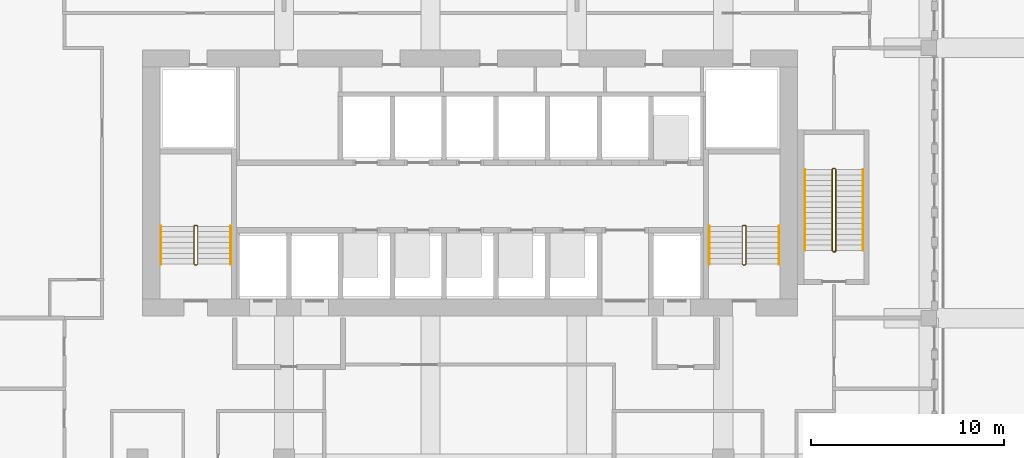
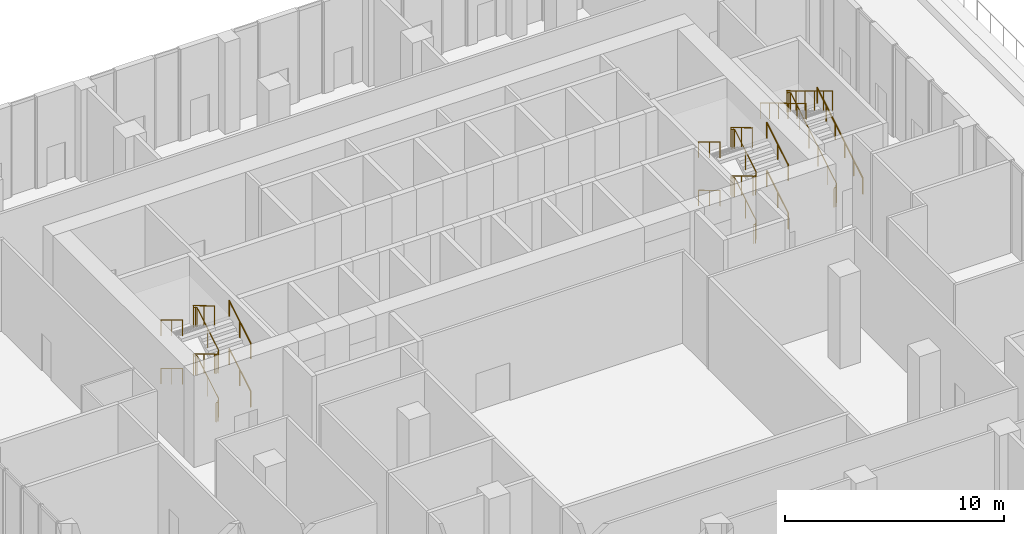
# One storey, part 18 of 19: 13 railings.
"""IFC4 building model written with IfcOpenShell, lengths in metres."""

from ifc_helpers import new_model, si_unit, direction, frame, origin, origin_2d, place, context, subcontext, project, spatial, circle, extrude, material, type_object, element, save


model = new_model("IFC4")

# Units and contexts
model_context = context("Model", 3, precision=1e-05, world=origin(), true_north=direction((0.0, 1.0)))
body_context = subcontext(model_context, "Body", "Model", "MODEL_VIEW")
ifc_project = project(units=[si_unit("LENGTHUNIT", "METRE"), si_unit("AREAUNIT", "SQUARE_METRE"), si_unit("VOLUMEUNIT", "CUBIC_METRE"), si_unit("PLANEANGLEUNIT", "RADIAN"), si_unit("MASSUNIT", "GRAM", prefix="KILO")], contexts=[model_context])

# Site, building, storey
site_placement = place(None, origin())
site = spatial("IfcSite", under=ifc_project, at=site_placement, CompositionType="ELEMENT")
building_placement = place(site_placement, origin())
building = spatial("IfcBuilding", under=site, at=building_placement, Name="Kilnfold Tower and Market Hall", CompositionType="ELEMENT")
storey_placement = place(building_placement, frame((0.0, 0.0, 138.5)))
storey = spatial("IfcBuildingStorey", under=building, at=storey_placement, Name="L31", CompositionType="ELEMENT", Elevation=138.5)

# Railings
ifc_material_1 = material(Name="Stainless steel 316", Category="steel")
railing_type_1 = type_object("IfcRailingType", Name="CORE STAIR GUARD 1100", PredefinedType="GUARDRAIL", material=ifc_material_1)
railing_1_placement = place(storey_placement, frame((-13.199951171875, 10.75, 0.0)))
element("IfcRailing", 1, at=railing_1_placement, inside=storey, type_object=railing_type_1, Name="L31 ST1 stair guard 1", PredefinedType="GUARDRAIL", context=body_context, shape_type="SweptSolid", body=[
    extrude(circle(Radius=0.02392578125, at=origin_2d()), frame((0.0, 0.0, 1.076171875), z_axis=(1.0, 0.0, 0.0), x_axis=(0.0, 1.0, 0.0)), (0.0, 0.0, 1.0), 0.099853515625),
    extrude(circle(Radius=0.02392578125, at=origin_2d()), frame((0.099853515625, 0.0, 1.076171875), z_axis=(0.273569069059, 0.273569069059, 0.922127935218), x_axis=(-0.707106781187, 0.707106781187, 0.0)), (0.0, 0.0, 1.0), 0.182861328125),
    extrude(circle(Radius=0.02392578125, at=origin_2d()), frame((0.14990234375, 0.050048828125, 1.24462890625), z_axis=(0.0, 0.856446297458, 0.516236127728), x_axis=(-1.0, 0.0, 0.0)), (0.0, 0.0, 1.0), 2.28857421875),
    extrude(circle(Radius=0.02392578125, at=origin_2d()), frame((0.14990234375, 2.010009765625, 2.42626953125), z_axis=(-0.707106781187, 0.707106781187, 0.0), x_axis=(-0.707106781187, -0.707106781187, 0.0)), (0.0, 0.0, 1.0), 0.07080078125),
    extrude(circle(Radius=0.02392578125, at=origin_2d()), frame((0.099853515625, 2.06005859375, 2.42626953125), z_axis=(-1.0, 0.0, 0.0), x_axis=(0.0, -1.0, 0.0)), (0.0, 0.0, 1.0), 0.099853515625),
    extrude(circle(Radius=0.02392578125, at=origin_2d()), frame((0.0, 2.06005859375, 2.42626953125), z_axis=(-0.273569069059, -0.273569069059, 0.922127935218), x_axis=(0.707106781187, -0.707106781187, 0.0)), (0.0, 0.0, 1.0), 0.182861328125),
    extrude(circle(Radius=0.02392578125, at=origin_2d()), frame((-0.050048828125, 2.010009765625, 2.5947265625), z_axis=(0.0, -0.856493463811, 0.516157869696), x_axis=(1.0, 0.0, 0.0)), (0.0, 0.0, 1.0), 2.288330078125),
    extrude(circle(Radius=0.02392578125, at=origin_2d()), frame((-0.050048828125, 0.050048828125, 3.77587890625), z_axis=(0.707106781187, -0.707106781187, 0.0), x_axis=(0.707106781187, 0.707106781187, 0.0)), (0.0, 0.0, 1.0), 0.07080078125),
    extrude(circle(Radius=0.02392578125, at=origin_2d()), frame((0.0, 0.0, 3.77587890625), z_axis=(1.0, 0.0, 0.0), x_axis=(0.0, 1.0, 0.0)), (0.0, 0.0, 1.0), 0.099853515625),
    extrude(circle(Radius=0.02392578125, at=origin_2d()), frame((0.099853515625, 0.0, 3.77587890625), z_axis=(0.273232802156, 0.273232802156, 0.922327312645), x_axis=(-0.707106781187, 0.707106781187, 0.0)), (0.0, 0.0, 1.0), 0.18310546875),
    extrude(circle(Radius=0.02392578125, at=origin_2d()), frame((0.14990234375, 0.050048828125, 3.94482421875), z_axis=(0.0, 0.856493463811, 0.516157869696), x_axis=(-1.0, 0.0, 0.0)), (0.0, 0.0, 1.0), 2.288330078125),
    extrude(circle(Radius=0.02392578125, at=origin_2d()), frame((0.14990234375, 2.010009765625, 5.1259765625), z_axis=(-0.707106781187, 0.707106781187, 0.0), x_axis=(-0.707106781187, -0.707106781187, 0.0)), (0.0, 0.0, 1.0), 0.07080078125),
    extrude(circle(Radius=0.02392578125, at=origin_2d()), frame((0.099853515625, 2.06005859375, 5.1259765625), z_axis=(-1.0, 0.0, 0.0), x_axis=(0.0, -1.0, 0.0)), (0.0, 0.0, 1.0), 0.099853515625),
    extrude(circle(Radius=0.02392578125, at=origin_2d()), frame((0.0, 2.06005859375, 5.1259765625), z_axis=(-0.273569069059, -0.273569069059, 0.922127935218), x_axis=(0.707106781187, -0.707106781187, 0.0)), (0.0, 0.0, 1.0), 0.182861328125),
    extrude(circle(Radius=0.02392578125, at=origin_2d()), frame((-0.050048828125, 2.010009765625, 5.294921875), z_axis=(0.0, -0.856493463811, 0.516157869696), x_axis=(1.0, 0.0, 0.0)), (0.0, 0.0, 1.0), 2.288330078125),
    extrude(circle(Radius=0.02099609375, at=origin_2d()), origin(), (0.0, 0.0, 1.0), 1.052001953125),
    extrude(circle(Radius=0.02099609375, at=origin_2d()), frame((0.099853515625, 0.0, 0.0)), (0.0, 0.0, 1.0), 1.052001953125),
    extrude(circle(Radius=0.02099609375, at=origin_2d()), frame((0.14990234375, 0.050048828125, 0.168701171875)), (0.0, 0.0, 1.0), 1.052001953125),
    extrude(circle(Radius=0.02099609375, at=origin_2d()), frame((0.14990234375, 1.030029296875, 0.75927734375)), (0.0, 0.0, 1.0), 1.052001953125),
    extrude(circle(Radius=0.02099609375, at=origin_2d()), frame((0.14990234375, 2.010009765625, 1.35009765625)), (0.0, 0.0, 1.0), 1.052001953125),
    extrude(circle(Radius=0.02099609375, at=origin_2d()), frame((0.099853515625, 2.06005859375, 1.35009765625)), (0.0, 0.0, 1.0), 1.052001953125),
    extrude(circle(Radius=0.02099609375, at=origin_2d()), frame((0.0, 2.06005859375, 1.35009765625)), (0.0, 0.0, 1.0), 1.052001953125),
    extrude(circle(Radius=0.02099609375, at=origin_2d()), frame((-0.050048828125, 2.010009765625, 1.518798828125)), (0.0, 0.0, 1.0), 1.052001953125),
    extrude(circle(Radius=0.02099609375, at=origin_2d()), frame((-0.050048828125, 1.030029296875, 2.109375)), (0.0, 0.0, 1.0), 1.052001953125),
    extrude(circle(Radius=0.02099609375, at=origin_2d()), frame((-0.050048828125, 0.050048828125, 2.699951171875)), (0.0, 0.0, 1.0), 1.052001953125),
    extrude(circle(Radius=0.02099609375, at=origin_2d()), frame((0.0, 0.0, 2.699951171875)), (0.0, 0.0, 1.0), 1.052001953125),
    extrude(circle(Radius=0.02099609375, at=origin_2d()), frame((0.099853515625, 0.0, 2.699951171875)), (0.0, 0.0, 1.0), 1.052001953125),
    extrude(circle(Radius=0.02099609375, at=origin_2d()), frame((0.14990234375, 0.050048828125, 2.868896484375)), (0.0, 0.0, 1.0), 1.052001953125),
    extrude(circle(Radius=0.02099609375, at=origin_2d()), frame((0.14990234375, 1.030029296875, 3.45947265625)), (0.0, 0.0, 1.0), 1.052001953125),
    extrude(circle(Radius=0.02099609375, at=origin_2d()), frame((0.14990234375, 2.010009765625, 4.050048828125)), (0.0, 0.0, 1.0), 1.052001953125),
    extrude(circle(Radius=0.02099609375, at=origin_2d()), frame((0.099853515625, 2.06005859375, 4.050048828125)), (0.0, 0.0, 1.0), 1.052001953125),
    extrude(circle(Radius=0.02099609375, at=origin_2d()), frame((0.0, 2.06005859375, 4.050048828125)), (0.0, 0.0, 1.0), 1.052001953125),
    extrude(circle(Radius=0.02099609375, at=origin_2d()), frame((-0.050048828125, 2.010009765625, 4.21875)), (0.0, 0.0, 1.0), 1.052001953125),
    extrude(circle(Radius=0.02099609375, at=origin_2d()), frame((-0.050048828125, 1.030029296875, 4.809326171875)), (0.0, 0.0, 1.0), 1.052001953125),
    extrude(circle(Radius=0.02099609375, at=origin_2d()), frame((-0.050048828125, 0.050048828125, 5.39990234375)), (0.0, 0.0, 1.0), 1.052001953125),
])
railing_2_placement = place(storey_placement, frame((15.199951171875, 10.75, 0.0)))
element("IfcRailing", 2, at=railing_2_placement, inside=storey, type_object=railing_type_1, Name="L31 ST2 stair guard 1", PredefinedType="GUARDRAIL", context=body_context, shape_type="SweptSolid", body=[
    extrude(circle(Radius=0.02392578125, at=origin_2d()), frame((0.0, 0.0, 1.076171875), z_axis=(1.0, 0.0, 0.0), x_axis=(0.0, 1.0, 0.0)), (0.0, 0.0, 1.0), 0.10009765625),
    extrude(circle(Radius=0.02392578125, at=origin_2d()), frame((0.10009765625, 0.0, 1.076171875), z_axis=(0.273569069059, 0.273569069059, 0.922127935218), x_axis=(-0.707106781187, 0.707106781187, 0.0)), (0.0, 0.0, 1.0), 0.182861328125),
    extrude(circle(Radius=0.02392578125, at=origin_2d()), frame((0.150146484375, 0.050048828125, 1.24462890625), z_axis=(0.0, 0.856446297458, 0.516236127728), x_axis=(-1.0, 0.0, 0.0)), (0.0, 0.0, 1.0), 2.28857421875),
    extrude(circle(Radius=0.02392578125, at=origin_2d()), frame((0.150146484375, 2.010009765625, 2.42626953125), z_axis=(-0.707106781187, 0.707106781187, 0.0), x_axis=(-0.707106781187, -0.707106781187, 0.0)), (0.0, 0.0, 1.0), 0.07080078125),
    extrude(circle(Radius=0.02392578125, at=origin_2d()), frame((0.10009765625, 2.06005859375, 2.42626953125), z_axis=(-1.0, 0.0, 0.0), x_axis=(0.0, -1.0, 0.0)), (0.0, 0.0, 1.0), 0.10009765625),
    extrude(circle(Radius=0.02392578125, at=origin_2d()), frame((0.0, 2.06005859375, 2.42626953125), z_axis=(-0.273569069059, -0.273569069059, 0.922127935218), x_axis=(0.707106781187, -0.707106781187, 0.0)), (0.0, 0.0, 1.0), 0.182861328125),
    extrude(circle(Radius=0.02392578125, at=origin_2d()), frame((-0.050048828125, 2.010009765625, 2.5947265625), z_axis=(0.0, -0.856493463811, 0.516157869696), x_axis=(1.0, 0.0, 0.0)), (0.0, 0.0, 1.0), 2.288330078125),
    extrude(circle(Radius=0.02392578125, at=origin_2d()), frame((-0.050048828125, 0.050048828125, 3.77587890625), z_axis=(0.707106781187, -0.707106781187, 0.0), x_axis=(0.707106781187, 0.707106781187, 0.0)), (0.0, 0.0, 1.0), 0.07080078125),
    extrude(circle(Radius=0.02392578125, at=origin_2d()), frame((0.0, 0.0, 3.77587890625), z_axis=(1.0, 0.0, 0.0), x_axis=(0.0, 1.0, 0.0)), (0.0, 0.0, 1.0), 0.10009765625),
    extrude(circle(Radius=0.02392578125, at=origin_2d()), frame((0.10009765625, 0.0, 3.77587890625), z_axis=(0.273232802156, 0.273232802156, 0.922327312645), x_axis=(-0.707106781187, 0.707106781187, 0.0)), (0.0, 0.0, 1.0), 0.18310546875),
    extrude(circle(Radius=0.02392578125, at=origin_2d()), frame((0.150146484375, 0.050048828125, 3.94482421875), z_axis=(0.0, 0.856493463811, 0.516157869696), x_axis=(-1.0, 0.0, 0.0)), (0.0, 0.0, 1.0), 2.288330078125),
    extrude(circle(Radius=0.02392578125, at=origin_2d()), frame((0.150146484375, 2.010009765625, 5.1259765625), z_axis=(-0.707106781187, 0.707106781187, 0.0), x_axis=(-0.707106781187, -0.707106781187, 0.0)), (0.0, 0.0, 1.0), 0.07080078125),
    extrude(circle(Radius=0.02392578125, at=origin_2d()), frame((0.10009765625, 2.06005859375, 5.1259765625), z_axis=(-1.0, 0.0, 0.0), x_axis=(0.0, -1.0, 0.0)), (0.0, 0.0, 1.0), 0.10009765625),
    extrude(circle(Radius=0.02392578125, at=origin_2d()), frame((0.0, 2.06005859375, 5.1259765625), z_axis=(-0.273569069059, -0.273569069059, 0.922127935218), x_axis=(0.707106781187, -0.707106781187, 0.0)), (0.0, 0.0, 1.0), 0.182861328125),
    extrude(circle(Radius=0.02392578125, at=origin_2d()), frame((-0.050048828125, 2.010009765625, 5.294921875), z_axis=(0.0, -0.856493463811, 0.516157869696), x_axis=(1.0, 0.0, 0.0)), (0.0, 0.0, 1.0), 2.288330078125),
    extrude(circle(Radius=0.02099609375, at=origin_2d()), origin(), (0.0, 0.0, 1.0), 1.052001953125),
    extrude(circle(Radius=0.02099609375, at=origin_2d()), frame((0.10009765625, 0.0, 0.0)), (0.0, 0.0, 1.0), 1.052001953125),
    extrude(circle(Radius=0.02099609375, at=origin_2d()), frame((0.150146484375, 0.050048828125, 0.168701171875)), (0.0, 0.0, 1.0), 1.052001953125),
    extrude(circle(Radius=0.02099609375, at=origin_2d()), frame((0.150146484375, 1.030029296875, 0.75927734375)), (0.0, 0.0, 1.0), 1.052001953125),
    extrude(circle(Radius=0.02099609375, at=origin_2d()), frame((0.150146484375, 2.010009765625, 1.35009765625)), (0.0, 0.0, 1.0), 1.052001953125),
    extrude(circle(Radius=0.02099609375, at=origin_2d()), frame((0.10009765625, 2.06005859375, 1.35009765625)), (0.0, 0.0, 1.0), 1.052001953125),
    extrude(circle(Radius=0.02099609375, at=origin_2d()), frame((0.0, 2.06005859375, 1.35009765625)), (0.0, 0.0, 1.0), 1.052001953125),
    extrude(circle(Radius=0.02099609375, at=origin_2d()), frame((-0.050048828125, 2.010009765625, 1.518798828125)), (0.0, 0.0, 1.0), 1.052001953125),
    extrude(circle(Radius=0.02099609375, at=origin_2d()), frame((-0.050048828125, 1.030029296875, 2.109375)), (0.0, 0.0, 1.0), 1.052001953125),
    extrude(circle(Radius=0.02099609375, at=origin_2d()), frame((-0.050048828125, 0.050048828125, 2.699951171875)), (0.0, 0.0, 1.0), 1.052001953125),
    extrude(circle(Radius=0.02099609375, at=origin_2d()), frame((0.0, 0.0, 2.699951171875)), (0.0, 0.0, 1.0), 1.052001953125),
    extrude(circle(Radius=0.02099609375, at=origin_2d()), frame((0.10009765625, 0.0, 2.699951171875)), (0.0, 0.0, 1.0), 1.052001953125),
    extrude(circle(Radius=0.02099609375, at=origin_2d()), frame((0.150146484375, 0.050048828125, 2.868896484375)), (0.0, 0.0, 1.0), 1.052001953125),
    extrude(circle(Radius=0.02099609375, at=origin_2d()), frame((0.150146484375, 1.030029296875, 3.45947265625)), (0.0, 0.0, 1.0), 1.052001953125),
    extrude(circle(Radius=0.02099609375, at=origin_2d()), frame((0.150146484375, 2.010009765625, 4.050048828125)), (0.0, 0.0, 1.0), 1.052001953125),
    extrude(circle(Radius=0.02099609375, at=origin_2d()), frame((0.10009765625, 2.06005859375, 4.050048828125)), (0.0, 0.0, 1.0), 1.052001953125),
    extrude(circle(Radius=0.02099609375, at=origin_2d()), frame((0.0, 2.06005859375, 4.050048828125)), (0.0, 0.0, 1.0), 1.052001953125),
    extrude(circle(Radius=0.02099609375, at=origin_2d()), frame((-0.050048828125, 2.010009765625, 4.21875)), (0.0, 0.0, 1.0), 1.052001953125),
    extrude(circle(Radius=0.02099609375, at=origin_2d()), frame((-0.050048828125, 1.030029296875, 4.809326171875)), (0.0, 0.0, 1.0), 1.052001953125),
    extrude(circle(Radius=0.02099609375, at=origin_2d()), frame((-0.050048828125, 0.050048828125, 5.39990234375)), (0.0, 0.0, 1.0), 1.052001953125),
])
railing_3_placement = place(storey_placement, frame((19.85009765625, 11.449951171875, 0.0)))
element("IfcRailing", 3, at=railing_3_placement, inside=storey, type_object=railing_type_1, Name="L31 ST5 stair guard 1", PredefinedType="GUARDRAIL", context=body_context, shape_type="SweptSolid", body=[
    extrude(circle(Radius=0.02392578125, at=origin_2d()), frame((0.0, 0.0, 1.076171875), z_axis=(1.0, 0.0, 0.0), x_axis=(0.0, 1.0, 0.0)), (0.0, 0.0, 1.0), 0.099853515625),
    extrude(circle(Radius=0.02392578125, at=origin_2d()), frame((0.099853515625, 0.0, 1.076171875), z_axis=(0.273569069059, 0.273569069059, 0.922127935218), x_axis=(-0.707106781187, 0.707106781187, 0.0)), (0.0, 0.0, 1.0), 0.182861328125),
    extrude(circle(Radius=0.02392578125, at=origin_2d()), frame((0.14990234375, 0.050048828125, 1.24462890625), z_axis=(0.0, 0.856476492594, 0.516186030065), x_axis=(-1.0, 0.0, 0.0)), (0.0, 0.0, 1.0), 4.90380859375),
    extrude(circle(Radius=0.02392578125, at=origin_2d()), frame((0.14990234375, 4.25, 3.77587890625), z_axis=(-0.707106781187, 0.707106781187, 0.0), x_axis=(-0.707106781187, -0.707106781187, 0.0)), (0.0, 0.0, 1.0), 0.07080078125),
    extrude(circle(Radius=0.02392578125, at=origin_2d()), frame((0.099853515625, 4.300048828125, 3.77587890625), z_axis=(-1.0, 0.0, 0.0), x_axis=(0.0, -1.0, 0.0)), (0.0, 0.0, 1.0), 0.099853515625),
    extrude(circle(Radius=0.02392578125, at=origin_2d()), frame((0.0, 4.300048828125, 3.77587890625), z_axis=(-0.273232802156, -0.273232802156, 0.922327312645), x_axis=(0.707106781187, -0.707106781187, 0.0)), (0.0, 0.0, 1.0), 0.18310546875),
    extrude(circle(Radius=0.02392578125, at=origin_2d()), frame((-0.050048828125, 4.25, 3.94482421875), z_axis=(0.0, -0.856498503035, 0.5161495077), x_axis=(1.0, 0.0, 0.0)), (0.0, 0.0, 1.0), 4.903564453125),
    extrude(circle(Radius=0.02099609375, at=origin_2d()), origin(), (0.0, 0.0, 1.0), 1.052001953125),
    extrude(circle(Radius=0.02099609375, at=origin_2d()), frame((0.099853515625, 0.0, 0.0)), (0.0, 0.0, 1.0), 1.052001953125),
    extrude(circle(Radius=0.02099609375, at=origin_2d()), frame((0.14990234375, 0.050048828125, 0.168701171875)), (0.0, 0.0, 1.0), 1.052001953125),
    extrude(circle(Radius=0.02099609375, at=origin_2d()), frame((0.14990234375, 0.89013671875, 0.675048828125)), (0.0, 0.0, 1.0), 1.052001953125),
    extrude(circle(Radius=0.02099609375, at=origin_2d()), frame((0.14990234375, 1.72998046875, 1.18115234375)), (0.0, 0.0, 1.0), 1.052001953125),
    extrude(circle(Radius=0.02099609375, at=origin_2d()), frame((0.14990234375, 2.570068359375, 1.6875)), (0.0, 0.0, 1.0), 1.052001953125),
    extrude(circle(Radius=0.02099609375, at=origin_2d()), frame((0.14990234375, 3.409912109375, 2.193603515625)), (0.0, 0.0, 1.0), 1.052001953125),
    extrude(circle(Radius=0.02099609375, at=origin_2d()), frame((0.14990234375, 4.25, 2.699951171875)), (0.0, 0.0, 1.0), 1.052001953125),
    extrude(circle(Radius=0.02099609375, at=origin_2d()), frame((0.099853515625, 4.300048828125, 2.699951171875)), (0.0, 0.0, 1.0), 1.052001953125),
    extrude(circle(Radius=0.02099609375, at=origin_2d()), frame((0.0, 4.300048828125, 2.699951171875)), (0.0, 0.0, 1.0), 1.052001953125),
    extrude(circle(Radius=0.02099609375, at=origin_2d()), frame((-0.050048828125, 4.25, 2.868896484375)), (0.0, 0.0, 1.0), 1.052001953125),
    extrude(circle(Radius=0.02099609375, at=origin_2d()), frame((-0.050048828125, 3.409912109375, 3.375)), (0.0, 0.0, 1.0), 1.052001953125),
    extrude(circle(Radius=0.02099609375, at=origin_2d()), frame((-0.050048828125, 2.570068359375, 3.88134765625)), (0.0, 0.0, 1.0), 1.052001953125),
    extrude(circle(Radius=0.02099609375, at=origin_2d()), frame((-0.050048828125, 1.72998046875, 4.387451171875)), (0.0, 0.0, 1.0), 1.052001953125),
    extrude(circle(Radius=0.02099609375, at=origin_2d()), frame((-0.050048828125, 0.89013671875, 4.893798828125)), (0.0, 0.0, 1.0), 1.052001953125),
    extrude(circle(Radius=0.02099609375, at=origin_2d()), frame((-0.050048828125, 0.050048828125, 5.39990234375)), (0.0, 0.0, 1.0), 1.052001953125),
])
ifc_material_2 = material(Name="Stainless steel 316", Category="steel")
railing_type_2 = type_object("IfcRailingType", Name="CORE STAIR HANDRAIL 900", PredefinedType="HANDRAIL", material=ifc_material_2)
railing_4_placement = place(storey_placement, frame((-11.35009765625, 10.800048828125, 0.168701171875)))
element("IfcRailing", 4, at=railing_4_placement, inside=storey, type_object=railing_type_2, Name="L31 ST1 stair handrail 1", PredefinedType="HANDRAIL", context=body_context, shape_type="SweptSolid", body=[
    extrude(circle(Radius=0.02392578125, at=origin_2d()), frame((0.0, 0.0, 0.8759765625), z_axis=(0.0, 0.856446297458, 0.516236127728), x_axis=(-1.0, 0.0, 0.0)), (0.0, 0.0, 1.0), 2.28857421875),
    extrude(circle(Radius=0.02099609375, at=origin_2d()), origin(), (0.0, 0.0, 1.0), 0.851806640625),
    extrude(circle(Radius=0.02099609375, at=origin_2d()), frame((0.0, 0.97998046875, 0.5908203125)), (0.0, 0.0, 1.0), 0.851806640625),
    extrude(circle(Radius=0.02099609375, at=origin_2d()), frame((0.0, 1.9599609375, 1.181396484375)), (0.0, 0.0, 1.0), 0.851806640625),
])
railing_5_placement = place(storey_placement, frame((-14.949951171875, 12.760009765625, 1.518798828125)))
element("IfcRailing", 5, at=railing_5_placement, inside=storey, type_object=railing_type_2, Name="L31 ST1 stair handrail 2", PredefinedType="HANDRAIL", context=body_context, shape_type="SweptSolid", body=[
    extrude(circle(Radius=0.02392578125, at=origin_2d()), frame((0.0, 0.0, 0.8759765625), z_axis=(0.0, -0.856493463811, 0.516157869696), x_axis=(1.0, 0.0, 0.0)), (0.0, 0.0, 1.0), 2.288330078125),
    extrude(circle(Radius=0.02099609375, at=origin_2d()), origin(), (0.0, 0.0, 1.0), 0.851806640625),
    extrude(circle(Radius=0.02099609375, at=origin_2d()), frame((0.0, -0.97998046875, 0.590576171875)), (0.0, 0.0, 1.0), 0.851806640625),
    extrude(circle(Radius=0.02099609375, at=origin_2d()), frame((0.0, -1.9599609375, 1.18115234375)), (0.0, 0.0, 1.0), 0.851806640625),
])
railing_6_placement = place(storey_placement, frame((-11.35009765625, 10.800048828125, 2.868896484375)))
element("IfcRailing", 6, at=railing_6_placement, inside=storey, type_object=railing_type_2, Name="L31 ST1 stair handrail 3", PredefinedType="HANDRAIL", context=body_context, shape_type="SweptSolid", body=[
    extrude(circle(Radius=0.02392578125, at=origin_2d()), frame((0.0, 0.0, 0.8759765625), z_axis=(0.0, 0.856493463811, 0.516157869696), x_axis=(-1.0, 0.0, 0.0)), (0.0, 0.0, 1.0), 2.288330078125),
    extrude(circle(Radius=0.02099609375, at=origin_2d()), origin(), (0.0, 0.0, 1.0), 0.851806640625),
    extrude(circle(Radius=0.02099609375, at=origin_2d()), frame((0.0, 0.97998046875, 0.590576171875)), (0.0, 0.0, 1.0), 0.851806640625),
    extrude(circle(Radius=0.02099609375, at=origin_2d()), frame((0.0, 1.9599609375, 1.18115234375)), (0.0, 0.0, 1.0), 0.851806640625),
])
railing_7_placement = place(storey_placement, frame((-14.949951171875, 12.760009765625, 4.21875)))
element("IfcRailing", 7, at=railing_7_placement, inside=storey, type_object=railing_type_2, Name="L31 ST1 stair handrail 4", PredefinedType="HANDRAIL", context=body_context, shape_type="SweptSolid", body=[
    extrude(circle(Radius=0.02392578125, at=origin_2d()), frame((0.0, 0.0, 0.8759765625), z_axis=(0.0, -0.856493463811, 0.516157869696), x_axis=(1.0, 0.0, 0.0)), (0.0, 0.0, 1.0), 2.288330078125),
    extrude(circle(Radius=0.02099609375, at=origin_2d()), origin(), (0.0, 0.0, 1.0), 0.851806640625),
    extrude(circle(Radius=0.02099609375, at=origin_2d()), frame((0.0, -0.97998046875, 0.590576171875)), (0.0, 0.0, 1.0), 0.851806640625),
    extrude(circle(Radius=0.02099609375, at=origin_2d()), frame((0.0, -1.9599609375, 1.18115234375)), (0.0, 0.0, 1.0), 0.851806640625),
])
railing_8_placement = place(storey_placement, frame((17.050048828125, 10.800048828125, 0.168701171875)))
element("IfcRailing", 8, at=railing_8_placement, inside=storey, type_object=railing_type_2, Name="L31 ST2 stair handrail 1", PredefinedType="HANDRAIL", context=body_context, shape_type="SweptSolid", body=[
    extrude(circle(Radius=0.02392578125, at=origin_2d()), frame((0.0, 0.0, 0.8759765625), z_axis=(0.0, 0.856446297458, 0.516236127728), x_axis=(-1.0, 0.0, 0.0)), (0.0, 0.0, 1.0), 2.28857421875),
    extrude(circle(Radius=0.02099609375, at=origin_2d()), origin(), (0.0, 0.0, 1.0), 0.851806640625),
    extrude(circle(Radius=0.02099609375, at=origin_2d()), frame((0.0, 0.97998046875, 0.5908203125)), (0.0, 0.0, 1.0), 0.851806640625),
    extrude(circle(Radius=0.02099609375, at=origin_2d()), frame((0.0, 1.9599609375, 1.181396484375)), (0.0, 0.0, 1.0), 0.851806640625),
])
railing_9_placement = place(storey_placement, frame((13.449951171875, 12.760009765625, 1.518798828125)))
element("IfcRailing", 9, at=railing_9_placement, inside=storey, type_object=railing_type_2, Name="L31 ST2 stair handrail 2", PredefinedType="HANDRAIL", context=body_context, shape_type="SweptSolid", body=[
    extrude(circle(Radius=0.02392578125, at=origin_2d()), frame((0.0, 0.0, 0.8759765625), z_axis=(0.0, -0.856493463811, 0.516157869696), x_axis=(1.0, 0.0, 0.0)), (0.0, 0.0, 1.0), 2.288330078125),
    extrude(circle(Radius=0.02099609375, at=origin_2d()), origin(), (0.0, 0.0, 1.0), 0.851806640625),
    extrude(circle(Radius=0.02099609375, at=origin_2d()), frame((0.0, -0.97998046875, 0.590576171875)), (0.0, 0.0, 1.0), 0.851806640625),
    extrude(circle(Radius=0.02099609375, at=origin_2d()), frame((0.0, -1.9599609375, 1.18115234375)), (0.0, 0.0, 1.0), 0.851806640625),
])
railing_10_placement = place(storey_placement, frame((17.050048828125, 10.800048828125, 2.868896484375)))
element("IfcRailing", 10, at=railing_10_placement, inside=storey, type_object=railing_type_2, Name="L31 ST2 stair handrail 3", PredefinedType="HANDRAIL", context=body_context, shape_type="SweptSolid", body=[
    extrude(circle(Radius=0.02392578125, at=origin_2d()), frame((0.0, 0.0, 0.8759765625), z_axis=(0.0, 0.856493463811, 0.516157869696), x_axis=(-1.0, 0.0, 0.0)), (0.0, 0.0, 1.0), 2.288330078125),
    extrude(circle(Radius=0.02099609375, at=origin_2d()), origin(), (0.0, 0.0, 1.0), 0.851806640625),
    extrude(circle(Radius=0.02099609375, at=origin_2d()), frame((0.0, 0.97998046875, 0.590576171875)), (0.0, 0.0, 1.0), 0.851806640625),
    extrude(circle(Radius=0.02099609375, at=origin_2d()), frame((0.0, 1.9599609375, 1.18115234375)), (0.0, 0.0, 1.0), 0.851806640625),
])
railing_11_placement = place(storey_placement, frame((13.449951171875, 12.760009765625, 4.21875)))
element("IfcRailing", 11, at=railing_11_placement, inside=storey, type_object=railing_type_2, Name="L31 ST2 stair handrail 4", PredefinedType="HANDRAIL", context=body_context, shape_type="SweptSolid", body=[
    extrude(circle(Radius=0.02392578125, at=origin_2d()), frame((0.0, 0.0, 0.8759765625), z_axis=(0.0, -0.856493463811, 0.516157869696), x_axis=(1.0, 0.0, 0.0)), (0.0, 0.0, 1.0), 2.288330078125),
    extrude(circle(Radius=0.02099609375, at=origin_2d()), origin(), (0.0, 0.0, 1.0), 0.851806640625),
    extrude(circle(Radius=0.02099609375, at=origin_2d()), frame((0.0, -0.97998046875, 0.590576171875)), (0.0, 0.0, 1.0), 0.851806640625),
    extrude(circle(Radius=0.02099609375, at=origin_2d()), frame((0.0, -1.9599609375, 1.18115234375)), (0.0, 0.0, 1.0), 0.851806640625),
])
railing_12_placement = place(storey_placement, frame((21.39990234375, 11.5, 0.168701171875)))
element("IfcRailing", 12, at=railing_12_placement, inside=storey, type_object=railing_type_2, Name="L31 ST5 stair handrail 1", PredefinedType="HANDRAIL", context=body_context, shape_type="SweptSolid", body=[
    extrude(circle(Radius=0.02392578125, at=origin_2d()), frame((0.0, 0.0, 0.8759765625), z_axis=(0.0, 0.856476492594, 0.516186030065), x_axis=(-1.0, 0.0, 0.0)), (0.0, 0.0, 1.0), 4.90380859375),
    extrude(circle(Radius=0.02099609375, at=origin_2d()), origin(), (0.0, 0.0, 1.0), 0.851806640625),
    extrude(circle(Radius=0.02099609375, at=origin_2d()), frame((0.0, 0.840087890625, 0.50634765625)), (0.0, 0.0, 1.0), 0.851806640625),
    extrude(circle(Radius=0.02099609375, at=origin_2d()), frame((0.0, 1.679931640625, 1.012451171875)), (0.0, 0.0, 1.0), 0.851806640625),
    extrude(circle(Radius=0.02099609375, at=origin_2d()), frame((0.0, 2.52001953125, 1.518798828125)), (0.0, 0.0, 1.0), 0.851806640625),
    extrude(circle(Radius=0.02099609375, at=origin_2d()), frame((0.0, 3.35986328125, 2.02490234375)), (0.0, 0.0, 1.0), 0.851806640625),
    extrude(circle(Radius=0.02099609375, at=origin_2d()), frame((0.0, 4.199951171875, 2.53125)), (0.0, 0.0, 1.0), 0.851806640625),
])
railing_13_placement = place(storey_placement, frame((18.39990234375, 15.699951171875, 2.868896484375)))
element("IfcRailing", 13, at=railing_13_placement, inside=storey, type_object=railing_type_2, Name="L31 ST5 stair handrail 2", PredefinedType="HANDRAIL", context=body_context, shape_type="SweptSolid", body=[
    extrude(circle(Radius=0.02392578125, at=origin_2d()), frame((0.0, 0.0, 0.8759765625), z_axis=(0.0, -0.856498503035, 0.5161495077), x_axis=(1.0, 0.0, 0.0)), (0.0, 0.0, 1.0), 4.903564453125),
    extrude(circle(Radius=0.02099609375, at=origin_2d()), origin(), (0.0, 0.0, 1.0), 0.851806640625),
    extrude(circle(Radius=0.02099609375, at=origin_2d()), frame((0.0, -0.840087890625, 0.506103515625)), (0.0, 0.0, 1.0), 0.851806640625),
    extrude(circle(Radius=0.02099609375, at=origin_2d()), frame((0.0, -1.679931640625, 1.012451171875)), (0.0, 0.0, 1.0), 0.851806640625),
    extrude(circle(Radius=0.02099609375, at=origin_2d()), frame((0.0, -2.52001953125, 1.5185546875)), (0.0, 0.0, 1.0), 0.851806640625),
    extrude(circle(Radius=0.02099609375, at=origin_2d()), frame((0.0, -3.35986328125, 2.02490234375)), (0.0, 0.0, 1.0), 0.851806640625),
    extrude(circle(Radius=0.02099609375, at=origin_2d()), frame((0.0, -4.199951171875, 2.531005859375)), (0.0, 0.0, 1.0), 0.851806640625),
])

save(model, "model.ifc")
